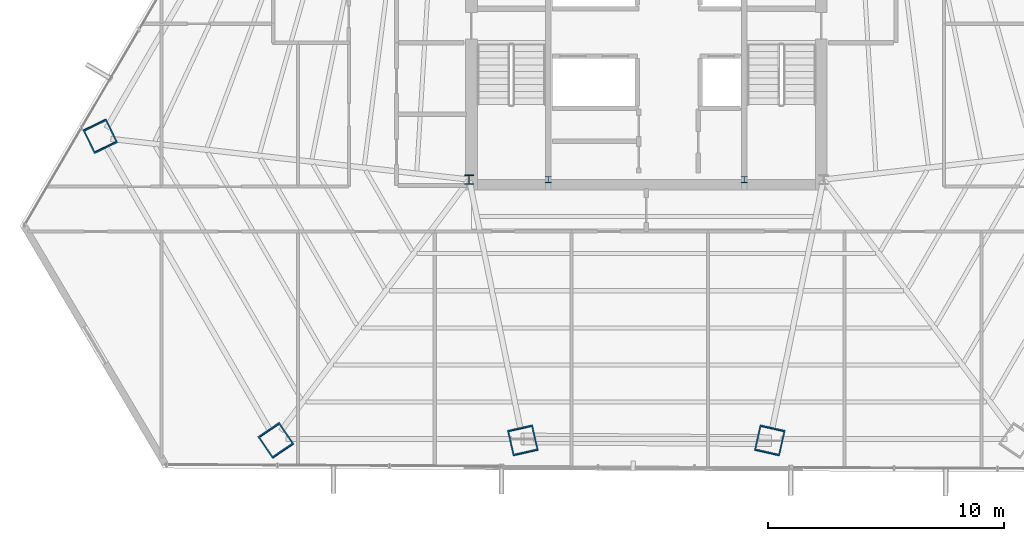
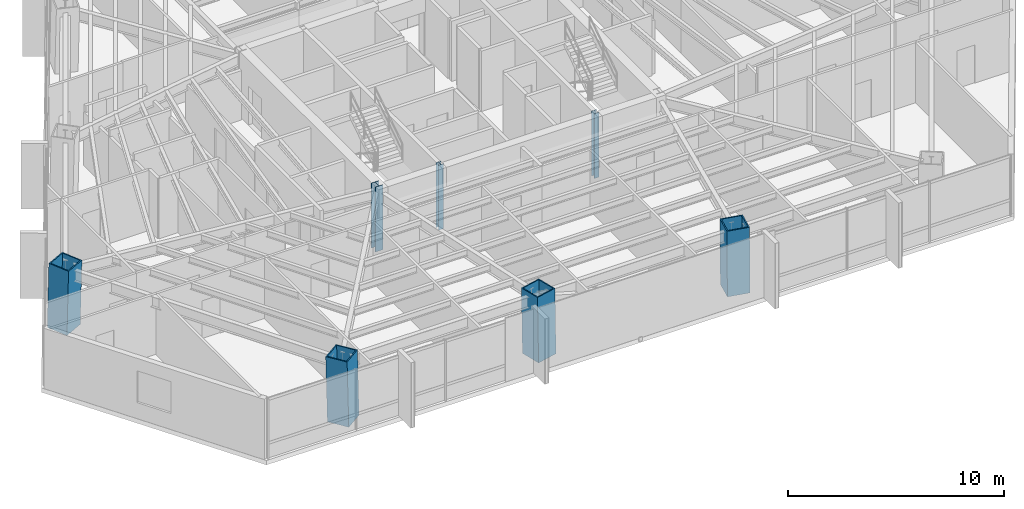
# One storey, part 1 of 37: 7 columns.
"""IFC4 building model written with IfcOpenShell, lengths in metres."""

from ifc_helpers import new_model, si_unit, direction, frame, origin, origin_2d, place, context, subcontext, project, spatial, hollow_rectangle, i_section, extrude, source, transform, mapped, material, material_profile, profile_set, type_object, type_shapes, element, save


model = new_model("IFC4")

# Units and contexts
model_context = context("Model", 3, precision=1e-05, world=origin(), true_north=direction((0.0, 1.0)))
body_context = subcontext(model_context, "Body", "Model", "MODEL_VIEW")
ifc_project = project(units=[si_unit("LENGTHUNIT", "METRE"), si_unit("AREAUNIT", "SQUARE_METRE"), si_unit("VOLUMEUNIT", "CUBIC_METRE"), si_unit("PLANEANGLEUNIT", "RADIAN"), si_unit("MASSUNIT", "GRAM", prefix="KILO")], contexts=[model_context])

# Site, building, storey
site_placement = place(None, origin())
site = spatial("IfcSite", under=ifc_project, at=site_placement, CompositionType="ELEMENT")
building_placement = place(site_placement, origin())
building = spatial("IfcBuilding", under=site, at=building_placement, Name="Caelisora Broadcast Tower", CompositionType="ELEMENT")
storey_placement = place(building_placement, frame((0.0, 0.0, 105.39990234375)))
storey = spatial("IfcBuildingStorey", under=building, at=storey_placement, Name="L27", CompositionType="ELEMENT", Elevation=105.39990234375)

# Columns
ifc_material_1 = material(Name="Steel Grade 350 (AS/NZS 3679.1)", Category="steel")
ifc_material_profile_1 = material_profile(ifc_material_1, i_section(OverallWidth=0.256103515625, OverallDepth=0.260009765625, WebThickness=0.010498046875, FlangeThickness=0.017333984375, at=origin_2d()), Name="Steel Grade 350 (AS/NZS 3679.1)")
ifc_profile_set_1 = profile_set([ifc_material_profile_1], Name="Steel Grade 350 (AS/NZS 3679.1)")
column_type_1 = type_object("IfcColumnType", Name="CC05", PredefinedType="COLUMN", material=ifc_profile_set_1)
shared_shape_1 = source(origin(), body_context, "Body", "SweptSolid", [
    extrude(i_section(OverallWidth=0.256103515625, OverallDepth=0.260009765625, WebThickness=0.010498046875, FlangeThickness=0.017333984375, at=origin_2d()), origin(), (0.0, 0.0, 1.0), 3.650146484375),
])
type_shapes(column_type_1, [shared_shape_1])
for number, where, z_axis, x_axis, name in (
    (1, (33.85009765625, 17.39990234375, 0.0), (0.0, 0.0, 1.0), (1.0, 0.0, 0.0), "L27 column CC05"),
    (2, (42.14990234375, 17.39990234375, 0.0), (0.0, 0.0, 1.0), (1.0, 0.0, 0.0), "L27 column CC05"),
):
    element("IfcColumn", number, at=place(storey_placement, frame(where, z_axis=z_axis, x_axis=x_axis)), inside=storey, type_object=column_type_1, Name=name, PredefinedType="COLUMN", context=body_context, shape_type="MappedRepresentation", body=[
        mapped(shared_shape_1, transform((0.0, 0.0, 0.0), scale=1.0)),
    ])
ifc_material_2 = material(Name="Steel Grade 350 L15 (AS/NZS 3678)", Category="steel")
ifc_material_profile_2 = material_profile(ifc_material_2, hollow_rectangle(XDim=1.10009765625, YDim=1.10009765625, WallThickness=0.06005859375, at=origin_2d()), Name="Steel Grade 350 L15 (AS/NZS 3678)")
ifc_profile_set_2 = profile_set([ifc_material_profile_2], Name="Steel Grade 350 L15 (AS/NZS 3678)")
column_type_2 = type_object("IfcColumnType", Name="MC03", PredefinedType="COLUMN", material=ifc_profile_set_2)
shared_shape_2 = source(origin(), body_context, "Body", "SweptSolid", [
    extrude(hollow_rectangle(XDim=1.10009765625, YDim=1.10009765625, WallThickness=0.06005859375, at=origin_2d()), origin(), (0.0, 0.0, 1.0), 3.65087890625),
])
for number, where, z_axis, x_axis, name in (
    (3, (32.773193359375, 6.341064453125, 0.0), (-0.004480382638, 0.019793929266, 0.999794042058), (-0.975326687046, -0.220766513622, 0.0), "L27 column MC03"),
    (4, (43.226806640625, 6.341064453125, 0.0), (0.004480382638, 0.019793929266, 0.999794042058), (-0.975326687046, 0.220766513622, 0.0), "L27 column MC03"),
):
    element("IfcColumn", number, at=place(storey_placement, frame(where, z_axis=z_axis, x_axis=x_axis)), inside=storey, type_object=column_type_2, Name=name, PredefinedType="COLUMN", context=body_context, shape_type="MappedRepresentation", body=[
        mapped(shared_shape_2, transform((0.0, 0.0, 0.0), scale=1.0)),
    ])
ifc_material_3 = material(Name="Steel Grade 350 (AS/NZS 3679.2)", Category="steel")
ifc_material_profile_3 = material_profile(ifc_material_3, i_section(OverallWidth=0.39990234375, OverallDepth=0.39990234375, WebThickness=0.02001953125, FlangeThickness=0.031982421875, at=origin_2d()), Name="Steel Grade 350 (AS/NZS 3679.2)")
ifc_profile_set_3 = profile_set([ifc_material_profile_3], Name="Steel Grade 350 (AS/NZS 3679.2)")
column_type_3 = type_object("IfcColumnType", Name="CC02", PredefinedType="COLUMN", material=ifc_profile_set_3)
shared_shape_3 = source(origin(), body_context, "Body", "SweptSolid", [
    extrude(i_section(OverallWidth=0.39990234375, OverallDepth=0.39990234375, WebThickness=0.02001953125, FlangeThickness=0.031982421875, at=origin_2d()), origin(), (0.0, 0.0, 1.0), 3.650146484375),
])
type_shapes(column_type_3, [shared_shape_3])
column_placement = place(storey_placement, frame((30.5, 17.39990234375, 0.0), z_axis=(0.0, 0.0, 1.0), x_axis=(1.0, 0.0, 0.0)))
element("IfcColumn", 5, at=column_placement, inside=storey, type_object=column_type_3, Name="L27 column CC02", PredefinedType="COLUMN", context=body_context, shape_type="MappedRepresentation", body=[
    mapped(shared_shape_3, transform((0.0, 0.0, 0.0), scale=1.0)),
])
shared_shape_4 = source(origin(), body_context, "Body", "SweptSolid", [
    extrude(hollow_rectangle(XDim=1.10009765625, YDim=1.10009765625, WallThickness=0.06005859375, at=origin_2d()), origin(), (0.0, 0.0, 1.0), 3.651123046875),
])
type_shapes(column_type_2, [shared_shape_2, shared_shape_4])
for number, where, z_axis, x_axis, name in (
    (6, (14.86669921875, 19.25, 0.0), (0.010431098089, -0.021530856313, 0.999713766245), (0.899947055326, 0.435999194506, 0.0), "L27 column MC03"),
    (7, (22.31982421875, 6.341064453125, 0.0), (-0.013440068782, 0.019792340097, 0.999713772949), (-0.827290216258, -0.561774775229, 0.0), "L27 column MC03"),
):
    element("IfcColumn", number, at=place(storey_placement, frame(where, z_axis=z_axis, x_axis=x_axis)), inside=storey, type_object=column_type_2, Name=name, PredefinedType="COLUMN", context=body_context, shape_type="MappedRepresentation", body=[
        mapped(shared_shape_4, transform((0.0, 0.0, 0.0), scale=1.0)),
    ])

save(model, "model.ifc")
